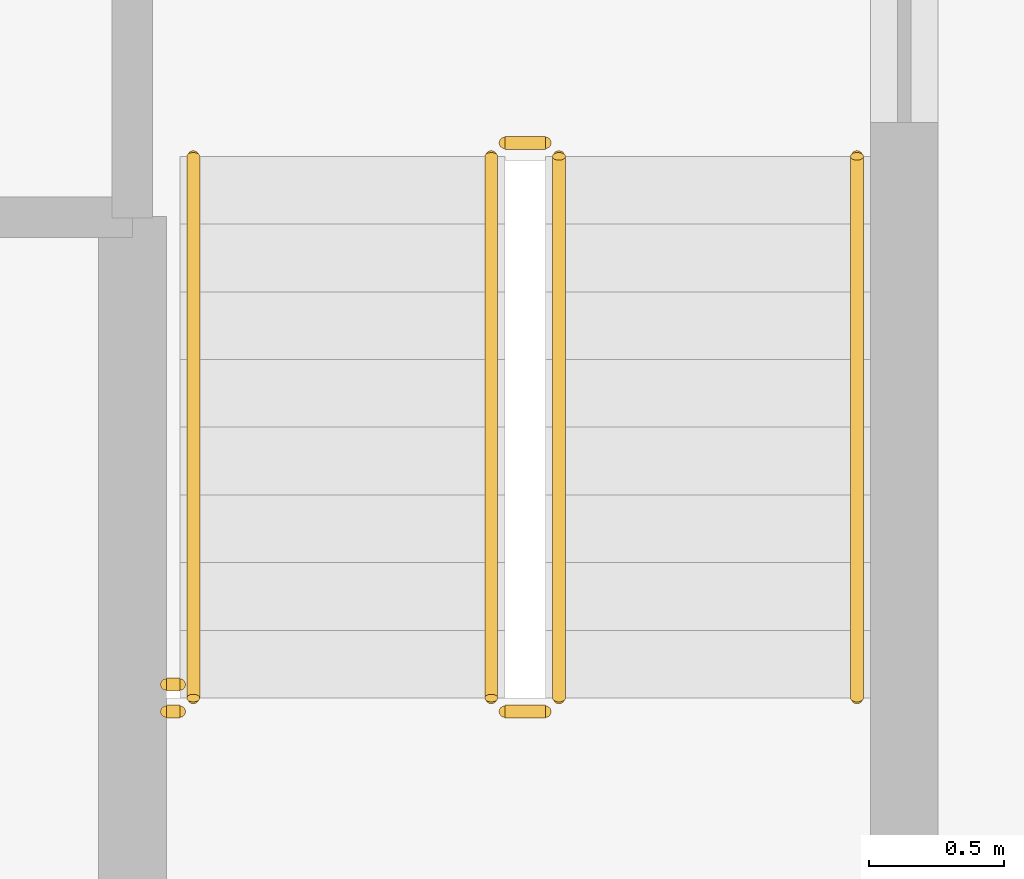
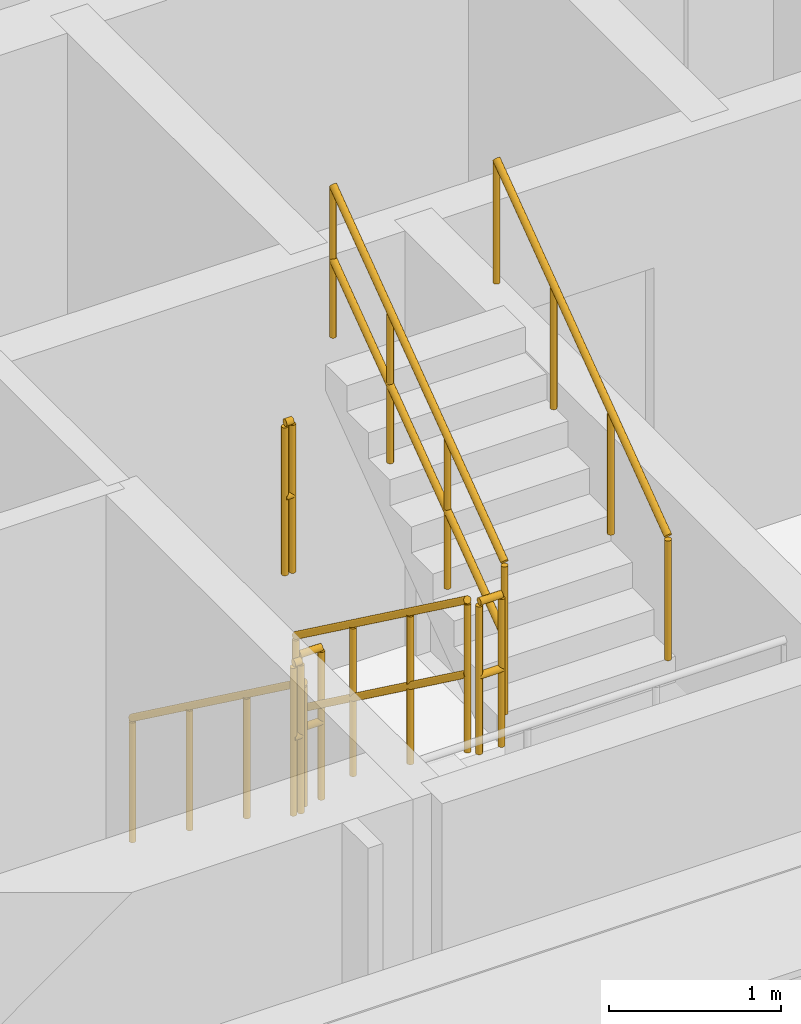
# One storey, part 13 of 15: 8 railings.
"""IFC4 building model written with IfcOpenShell, lengths in metres."""

from ifc_helpers import new_model, si_unit, direction, frame, origin, origin_2d, place, context, subcontext, project, spatial, circle, extrude, material, type_object, element, save


model = new_model("IFC4")

# Units and contexts
model_context = context("Model", 3, precision=1e-05, world=origin(), true_north=direction((0.0, 1.0)))
body_context = subcontext(model_context, "Body", "Model", "MODEL_VIEW")
ifc_project = project(units=[si_unit("LENGTHUNIT", "METRE"), si_unit("AREAUNIT", "SQUARE_METRE"), si_unit("VOLUMEUNIT", "CUBIC_METRE"), si_unit("PLANEANGLEUNIT", "RADIAN"), si_unit("MASSUNIT", "GRAM", prefix="KILO")], contexts=[model_context])

# Site, building, storey
site_placement = place(None, origin())
site = spatial("IfcSite", under=ifc_project, at=site_placement, CompositionType="ELEMENT")
building_placement = place(site_placement, origin())
building = spatial("IfcBuilding", under=site, at=building_placement, Name="Nakaniwa Court", CompositionType="ELEMENT")
storey_placement = place(building_placement, frame((0.0, 0.0, 216.300048828125)))
storey = spatial("IfcBuildingStorey", under=building, at=storey_placement, Name="L57", CompositionType="ELEMENT", Elevation=216.300048828125)

# Railings
ifc_material_1 = material(Name="Black powder coated steel guard", Category="steel")
railing_type_1 = type_object("IfcRailingType", Name="Stair guard 1100", PredefinedType="GUARDRAIL", material=ifc_material_1)
railing_1_placement = place(storey_placement, frame((81.875, 61.824951171875, 0.183349609375)))
element("IfcRailing", 1, at=railing_1_placement, inside=storey, type_object=railing_type_1, Name="L57 ST4 stair guard 1", PredefinedType="GUARDRAIL", context=body_context, shape_type="SweptSolid", body=[
    extrude(circle(Radius=0.02392578125, at=origin_2d()), frame((0.0, 0.0, 1.076171875), z_axis=(0.0, -0.806426902644, 0.591333789573), x_axis=(1.0, 0.0, 0.0)), (0.0, 0.0, 1.0), 2.47998046875),
    extrude(circle(Radius=0.02392578125, at=origin_2d()), frame((0.0, 0.0, 0.550048828125), z_axis=(0.0, -0.806426902644, 0.591333789573), x_axis=(1.0, 0.0, 0.0)), (0.0, 0.0, 1.0), 2.47998046875),
    extrude(circle(Radius=0.02099609375, at=origin_2d()), origin(), (0.0, 0.0, 1.0), 1.052001953125),
    extrude(circle(Radius=0.02099609375, at=origin_2d()), frame((0.0, -0.666748046875, 0.48876953125)), (0.0, 0.0, 1.0), 1.052001953125),
    extrude(circle(Radius=0.02099609375, at=origin_2d()), frame((0.0, -1.333251953125, 0.977783203125)), (0.0, 0.0, 1.0), 1.052001953125),
    extrude(circle(Radius=0.02099609375, at=origin_2d()), frame((0.0, -2.0, 1.466552734375)), (0.0, 0.0, 1.0), 1.052001953125),
])
railing_2_placement = place(storey_placement, frame((81.925048828125, 59.77490234375, 1.64990234375)))
element("IfcRailing", 2, at=railing_2_placement, inside=storey, type_object=railing_type_1, Name="L57 ST4 stair guard 2", PredefinedType="GUARDRAIL", context=body_context, shape_type="SweptSolid", body=[
    extrude(circle(Radius=0.02392578125, at=origin_2d()), frame((0.0, 0.0, 1.076171875), z_axis=(1.0, 0.0, 0.0), x_axis=(0.0, 1.0, 0.0)), (0.0, 0.0, 1.0), 0.14990234375),
    extrude(circle(Radius=0.02392578125, at=origin_2d()), frame((0.0, 0.0, 0.550048828125), z_axis=(1.0, 0.0, 0.0), x_axis=(0.0, 1.0, 0.0)), (0.0, 0.0, 1.0), 0.14990234375),
    extrude(circle(Radius=0.02099609375, at=origin_2d()), origin(), (0.0, 0.0, 1.0), 1.052001953125),
    extrude(circle(Radius=0.02099609375, at=origin_2d()), frame((0.14990234375, 0.0, 0.0)), (0.0, 0.0, 1.0), 1.052001953125),
])
railing_3_placement = place(storey_placement, frame((82.125, 59.824951171875, 1.833251953125)))
element("IfcRailing", 3, at=railing_3_placement, inside=storey, type_object=railing_type_1, Name="L57 ST4 stair guard 3", PredefinedType="GUARDRAIL", context=body_context, shape_type="SweptSolid", body=[
    extrude(circle(Radius=0.02392578125, at=origin_2d()), frame((0.0, 0.0, 1.076171875), z_axis=(0.0, 0.806379959628, 0.591397802423), x_axis=(-1.0, 0.0, 0.0)), (0.0, 0.0, 1.0), 2.480224609375),
    extrude(circle(Radius=0.02392578125, at=origin_2d()), frame((0.0, 0.0, 0.550048828125), z_axis=(0.0, 0.806379959628, 0.591397802423), x_axis=(-1.0, 0.0, 0.0)), (0.0, 0.0, 1.0), 2.480224609375),
    extrude(circle(Radius=0.02099609375, at=origin_2d()), origin(), (0.0, 0.0, 1.0), 1.052001953125),
    extrude(circle(Radius=0.02099609375, at=origin_2d()), frame((0.0, 0.666748046875, 0.489013671875)), (0.0, 0.0, 1.0), 1.052001953125),
    extrude(circle(Radius=0.02099609375, at=origin_2d()), frame((0.0, 1.333251953125, 0.977783203125)), (0.0, 0.0, 1.0), 1.052001953125),
    extrude(circle(Radius=0.02099609375, at=origin_2d()), frame((0.0, 2.0, 1.466796875)), (0.0, 0.0, 1.0), 1.052001953125),
])
railing_4_placement = place(storey_placement, frame((81.925048828125, 61.875, 0.0)))
element("IfcRailing", 4, at=railing_4_placement, inside=storey, type_object=railing_type_1, Name="L57 ST4 stair guard 4", PredefinedType="GUARDRAIL", context=body_context, shape_type="SweptSolid", body=[
    extrude(circle(Radius=0.02392578125, at=origin_2d()), frame((0.0, 0.0, 1.076171875), z_axis=(1.0, 0.0, 0.0), x_axis=(0.0, 1.0, 0.0)), (0.0, 0.0, 1.0), 0.14990234375),
    extrude(circle(Radius=0.02392578125, at=origin_2d()), frame((0.0, 0.0, 0.550048828125), z_axis=(1.0, 0.0, 0.0), x_axis=(0.0, 1.0, 0.0)), (0.0, 0.0, 1.0), 0.14990234375),
    extrude(circle(Radius=0.02099609375, at=origin_2d()), origin(), (0.0, 0.0, 1.0), 1.052001953125),
    extrude(circle(Radius=0.02099609375, at=origin_2d()), frame((0.14990234375, 0.0, 0.0)), (0.0, 0.0, 1.0), 1.052001953125),
])
for number, where, name in (
    (5, (80.675048828125, 59.77490234375, 1.64990234375), "L57 ST4 landing side guard 1W"),
    (6, (80.675048828125, 59.875, 3.300048828125), "L57 ST4 floor edge guard 1W"),
):
    element("IfcRailing", number, at=place(storey_placement, frame(where)), inside=storey, type_object=railing_type_1, Name=name, PredefinedType="GUARDRAIL", context=body_context, shape_type="SweptSolid", body=[
        extrude(circle(Radius=0.02392578125, at=origin_2d()), frame((0.0, 0.0, 1.076171875), z_axis=(1.0, 0.0, 0.0), x_axis=(0.0, 1.0, 0.0)), (0.0, 0.0, 1.0), 0.050048828125),
        extrude(circle(Radius=0.02392578125, at=origin_2d()), frame((0.0, 0.0, 0.550048828125), z_axis=(1.0, 0.0, 0.0), x_axis=(0.0, 1.0, 0.0)), (0.0, 0.0, 1.0), 0.050048828125),
        extrude(circle(Radius=0.02099609375, at=origin_2d()), origin(), (0.0, 0.0, 1.0), 1.052001953125),
        extrude(circle(Radius=0.02099609375, at=origin_2d()), frame((0.050048828125, 0.0, 0.0)), (0.0, 0.0, 1.0), 1.052001953125),
    ])
ifc_material_2 = material(Name="Black powder coated steel handrail", Category="steel")
railing_type_2 = type_object("IfcRailingType", Name="Stair handrail 900", PredefinedType="HANDRAIL", material=ifc_material_2)
railing_5_placement = place(storey_placement, frame((80.77490234375, 61.824951171875, 0.183349609375)))
element("IfcRailing", 7, at=railing_5_placement, inside=storey, type_object=railing_type_2, Name="L57 ST4 stair handrail 1", PredefinedType="HANDRAIL", context=body_context, shape_type="SweptSolid", body=[
    extrude(circle(Radius=0.02392578125, at=origin_2d()), frame((0.0, 0.0, 0.8759765625), z_axis=(0.0, -0.806426902644, 0.591333789573), x_axis=(1.0, 0.0, 0.0)), (0.0, 0.0, 1.0), 2.47998046875),
    extrude(circle(Radius=0.02099609375, at=origin_2d()), origin(), (0.0, 0.0, 1.0), 0.851806640625),
    extrude(circle(Radius=0.02099609375, at=origin_2d()), frame((0.0, -0.666748046875, 0.48876953125)), (0.0, 0.0, 1.0), 0.851806640625),
    extrude(circle(Radius=0.02099609375, at=origin_2d()), frame((0.0, -1.333251953125, 0.977783203125)), (0.0, 0.0, 1.0), 0.851806640625),
    extrude(circle(Radius=0.02099609375, at=origin_2d()), frame((0.0, -2.0, 1.466552734375)), (0.0, 0.0, 1.0), 0.851806640625),
])
railing_6_placement = place(storey_placement, frame((83.22509765625, 59.824951171875, 1.833251953125)))
element("IfcRailing", 8, at=railing_6_placement, inside=storey, type_object=railing_type_2, Name="L57 ST4 stair handrail 2", PredefinedType="HANDRAIL", context=body_context, shape_type="SweptSolid", body=[
    extrude(circle(Radius=0.02392578125, at=origin_2d()), frame((0.0, 0.0, 0.8759765625), z_axis=(0.0, 0.806379959628, 0.591397802423), x_axis=(-1.0, 0.0, 0.0)), (0.0, 0.0, 1.0), 2.480224609375),
    extrude(circle(Radius=0.02099609375, at=origin_2d()), origin(), (0.0, 0.0, 1.0), 0.851806640625),
    extrude(circle(Radius=0.02099609375, at=origin_2d()), frame((0.0, 0.666748046875, 0.489013671875)), (0.0, 0.0, 1.0), 0.851806640625),
    extrude(circle(Radius=0.02099609375, at=origin_2d()), frame((0.0, 1.333251953125, 0.977783203125)), (0.0, 0.0, 1.0), 0.851806640625),
    extrude(circle(Radius=0.02099609375, at=origin_2d()), frame((0.0, 2.0, 1.466796875)), (0.0, 0.0, 1.0), 0.851806640625),
])

save(model, "model.ifc")
